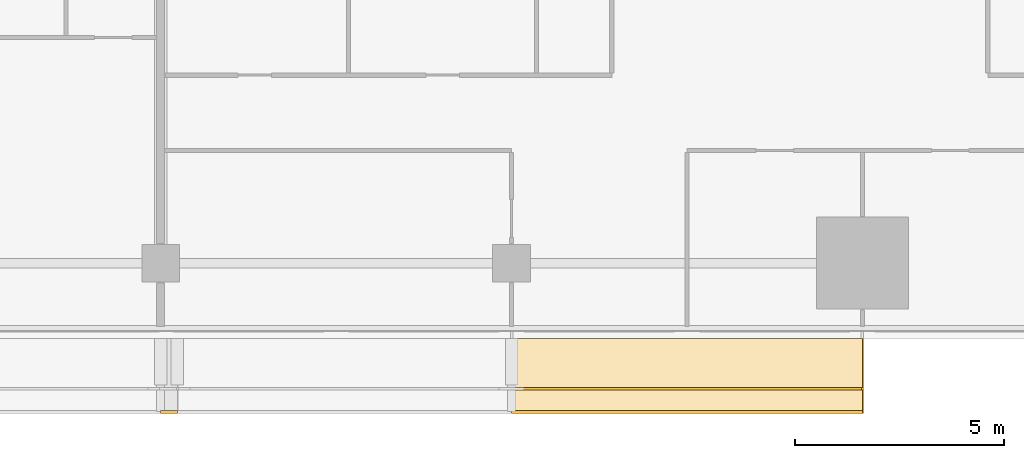
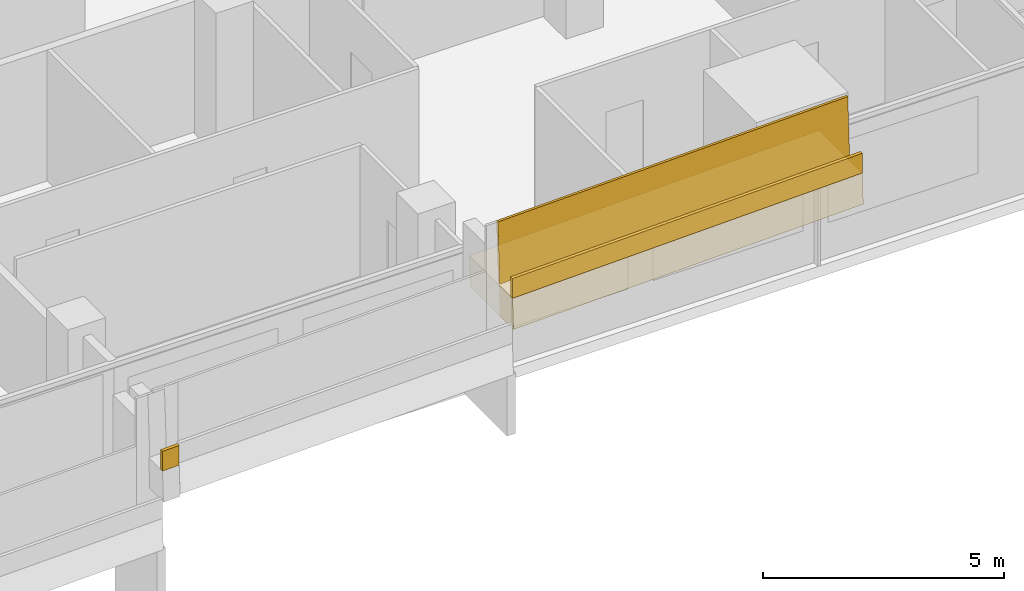
# One storey, part 27 of 27: 3 coverings, 1 railing.
"""IFC4 building model written with IfcOpenShell, lengths in metres."""

from ifc_helpers import new_model, si_unit, direction, frame, origin, origin_2d, place, context, subcontext, project, spatial, polyline, rectangle, outline, extrude, material, layer, layer_set, type_object, element, save


model = new_model("IFC4")

# Units and contexts
model_context = context("Model", 3, precision=1e-05, world=origin(), true_north=direction((0.0, 1.0)))
body_context = subcontext(model_context, "Body", "Model", "MODEL_VIEW")
ifc_project = project(units=[si_unit("LENGTHUNIT", "METRE"), si_unit("AREAUNIT", "SQUARE_METRE"), si_unit("VOLUMEUNIT", "CUBIC_METRE"), si_unit("PLANEANGLEUNIT", "RADIAN"), si_unit("MASSUNIT", "GRAM", prefix="KILO")], contexts=[model_context])

# Site, building, storey
site_placement = place(None, origin())
site = spatial("IfcSite", under=ifc_project, at=site_placement, CompositionType="ELEMENT")
building_placement = place(site_placement, origin())
building = spatial("IfcBuilding", under=site, at=building_placement, Name="Saffron Gate Tower", CompositionType="ELEMENT")
storey_placement = place(building_placement, frame((0.0, 0.0, 66.0)))
storey = spatial("IfcBuildingStorey", under=building, at=storey_placement, Name="L15", CompositionType="ELEMENT", Elevation=66.0)

# Coverings
ifc_material = material(Name="Timber, thermally modified ash", Category="wood")
ifc_layer_1 = layer(ifc_material, 0.800048828125)
ifc_layer_set_1 = layer_set([ifc_layer_1], Name="LD1 ledge timber")
covering_type_1 = type_object("IfcCoveringType", Name="LD1 ledge timber", PredefinedType="CLADDING", material=ifc_layer_set_1)
covering_1_placement = place(storey_placement, frame((108.60009765625, 30.0, 3.21337890625), z_axis=(-0.028791175352, 0.0, 0.999585448184), x_axis=(0.999585448184, 0.0, 0.028791175352)))
element("IfcCovering", 1, at=covering_1_placement, inside=storey, type_object=covering_type_1, Name="LEDGE", PredefinedType="CLADDING", context=body_context, shape_type="SweptSolid", body=[
    extrude(outline(polyline([(0.0, 0.0), (8.403385982666892, 0.0), (8.403385982666892, -1.800048828125), (0.0, -1.800048828125), (0.0, 0.0)])), origin(), (0.0, 0.0, -1.0), 0.800048828125),
])
ifc_layer_2 = layer(ifc_material, 0.080078125)
ifc_layer_set_2 = layer_set([ifc_layer_2], Name="LD2 ledge planter trough")
covering_type_2 = type_object("IfcCoveringType", Name="LD2 ledge planter trough", PredefinedType="CLADDING", material=ifc_layer_set_2)
covering_2_placement = place(storey_placement, frame((100.199951171875, 28.199951171875, 1.77099609375), z_axis=(0.0, -1.0, 0.0), x_axis=(0.999589096284, 0.0, 0.028664238881)))
element("IfcCovering", 2, at=covering_2_placement, inside=storey, type_object=covering_type_2, Name="LEDGE planter trough", PredefinedType="CLADDING", context=body_context, shape_type="SweptSolid", body=[
    extrude(outline(polyline([(0.0, 0.0), (0.40031097364171886, -1.734723475976807e-18), (0.4146430930820291, 0.4997945481418826), (0.014332119440310242, 0.4997945481418827), (0.0, 0.0)])), origin(), (0.0, 0.0, -1.0), 0.080078125),
])
covering_3_placement = place(storey_placement, frame((108.60009765625, 28.199951171875, 3.21337890625), z_axis=(0.0, -1.0, 0.0), x_axis=(0.999585448184, 0.0, 0.028791175352)))
element("IfcCovering", 3, at=covering_3_placement, inside=storey, type_object=covering_type_2, Name="LEDGE planter trough", PredefinedType="CLADDING", context=body_context, shape_type="SweptSolid", body=[
    extrude(outline(polyline([(0.0, 0.0), (8.403385982666892, 0.0), (8.417781570342743, 0.49979272409216496), (0.014395587675851172, 0.4997927240921649), (0.0, 0.0)])), origin(), (0.0, 0.0, -1.0), 0.080078125),
])

# Railing
railing_type = type_object("IfcRailingType", Name="LG1 ledge balustrade", PredefinedType="BALUSTRADE", material=ifc_material)
railing_placement = place(storey_placement, frame((108.60009765625, 28.800048828125, 3.21337890625)))
element("IfcRailing", 4, at=railing_placement, inside=storey, type_object=railing_type, Name="LEDGE BALUSTRADE", PredefinedType="BALUSTRADE", context=body_context, shape_type="SweptSolid", body=[
    extrude(rectangle(XDim=0.06005859375, YDim=1.60009765625, at=origin_2d()), frame((0.0, 0.0, 0.800048828125), z_axis=(0.999585448184, 0.0, 0.028791175352), x_axis=(0.0, 1.0, 0.0)), (0.0, 0.0, 1.0), 8.4033203125),
])

save(model, "model.ifc")
